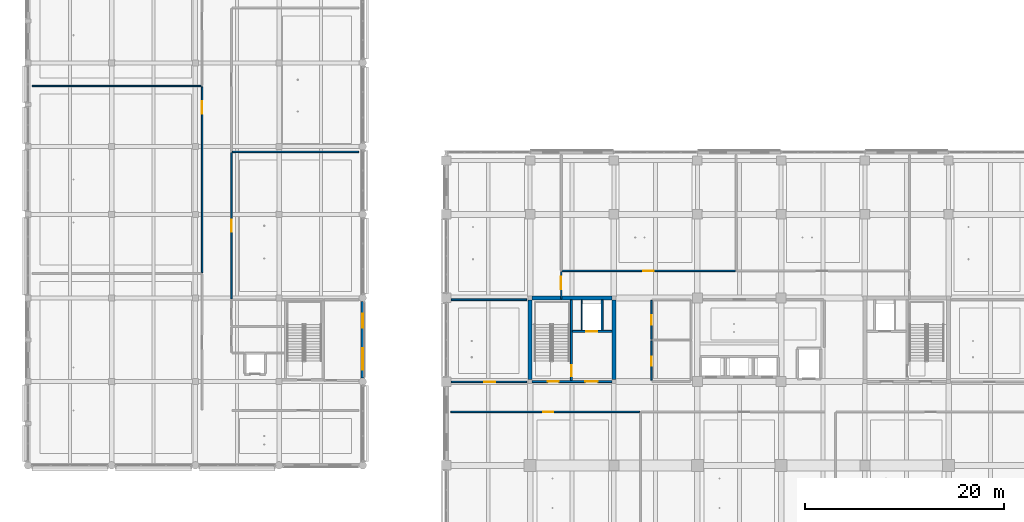
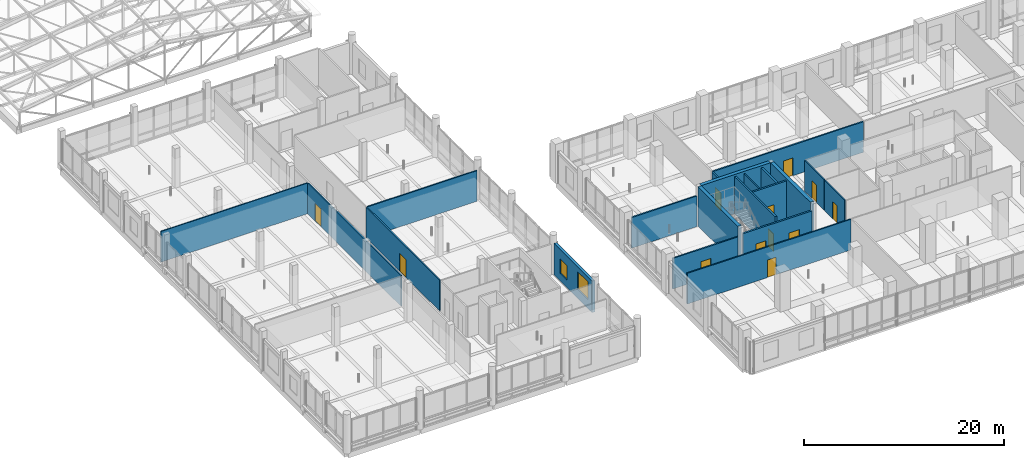
# One storey, part 54 of 122: 20 walls, 12 doors, 2 windows, 14 openings.
"""IFC4 building model written with IfcOpenShell, lengths in metres."""

from ifc_helpers import new_model, si_unit, direction, frame, frame_2d, origin, place, context, subcontext, project, spatial, rectangle, extrude, material, layer, layer_set, type_object, element, fill, save


model = new_model("IFC4")

# Units and contexts
model_context = context("Model", 3, precision=1e-05, world=origin(), true_north=direction((0.0, 1.0)))
body_context = subcontext(model_context, "Body", "Model", "MODEL_VIEW")
ifc_project = project(units=[si_unit("LENGTHUNIT", "METRE"), si_unit("AREAUNIT", "SQUARE_METRE"), si_unit("VOLUMEUNIT", "CUBIC_METRE"), si_unit("PLANEANGLEUNIT", "RADIAN"), si_unit("MASSUNIT", "GRAM", prefix="KILO")], contexts=[model_context])

# Site, building, storey
site_placement = place(None, origin())
site = spatial("IfcSite", under=ifc_project, at=site_placement, CompositionType="ELEMENT")
building_placement = place(site_placement, origin())
building = spatial("IfcBuilding", under=site, at=building_placement, Name="Telukmera Botanical Conservatory", CompositionType="ELEMENT")
storey_placement = place(building_placement, frame((0.0, 0.0, 10.199951171875)))
storey = spatial("IfcBuildingStorey", under=building, at=storey_placement, Name="L02", CompositionType="ELEMENT", Elevation=10.199951171875)

# Wall, openings, windows
ifc_material_1 = material(Name="Terracotta-faced precast concrete C40/50", Category="masonry")
ifc_layer_1 = layer(ifc_material_1, 0.300048828125)
ifc_layer_set_1 = layer_set([ifc_layer_1], Name="Terracotta-faced precast concrete C40/50")
wall_type_1 = type_object("IfcWallType", Name="Exterior Polychrome Terracotta Precast Wall 300", PredefinedType="SOLIDWALL", material=ifc_layer_set_1)
wall_1_placement = place(storey_placement, frame((42.0, 26.376953125, 0.0), z_axis=(0.0, 0.0, 1.0), x_axis=(0.0, 1.0, 0.0)))
wall_1 = element("IfcWall", 1, at=wall_1_placement, inside=storey, type_object=wall_type_1, Name="Exterior Precast Wall EW02 V3:L02:E2", PredefinedType="SOLIDWALL", context=body_context, shape_type="SweptSolid", body=[
    extrude(rectangle(XDim=7.64599609375, YDim=0.300048828125, at=frame_2d((3.822998046875, 0.0))), origin(), (0.0, 0.0, 1.0), 3.85009765625),
])
opening_1_placement = place(wall_1_placement, frame((0.83642578125, 0.0, 1.10009765625)))
opening_1 = element("IfcOpeningElement", 2, at=opening_1_placement, cuts=wall_1, Name="Opening W15", PredefinedType="OPENING", context=body_context, shape_type="SweptSolid", body=[
    extrude(rectangle(XDim=2.14990234375, YDim=2.14990234375, at=frame_2d((1.074951171875, 1.074951171875))), frame((0.0, 0.159912109375, 0.0), z_axis=(0.0, -1.0, 0.0), x_axis=(1.0, 0.0, 0.0)), (0.0, 0.0, 1.0), 0.320068359375),
])
opening_2_placement = place(wall_1_placement, frame((5.009521484375, 0.0, 0.89990234375)))
opening_2 = element("IfcOpeningElement", 3, at=opening_2_placement, cuts=wall_1, Name="Opening W09", PredefinedType="OPENING", context=body_context, shape_type="SweptSolid", body=[
    extrude(rectangle(XDim=1.449951171875, YDim=1.800048828125, at=frame_2d((0.72509765625, 0.89990234375))), frame((0.0, 0.159912109375, 0.0), z_axis=(0.0, -1.0, 0.0), x_axis=(1.0, 0.0, 0.0)), (0.0, 0.0, 1.0), 0.320068359375),
])
ifc_material_2 = material(Name="Thermally broken anodised aluminium frame with low-E double glazing", Category="aluminium")
window_type_1 = type_object("IfcWindowType", Name="Double Horizontal Transom Studio Window 1450x1800", PartitioningType="DOUBLE_PANEL_HORIZONTAL", PredefinedType="WINDOW", material=ifc_material_2)
window_1_placement = place(opening_2_placement, origin())
window_1 = element("IfcWindow", 4, at=window_1_placement, inside=storey, type_object=window_type_1, Name="Facade Window W09 V3:L02:E2 2", OverallHeight=1.800048828125, OverallWidth=1.449951171875, PartitioningType="DOUBLE_PANEL_HORIZONTAL", PredefinedType="WINDOW", context=body_context, shape_type="SweptSolid", body=[
    extrude(rectangle(XDim=1.449951171875, YDim=1.800048828125, at=frame_2d((0.72509765625, 0.89990234375))), frame((0.0, 0.030029296875, 0.0), z_axis=(0.0, -1.0, 0.0), x_axis=(1.0, 0.0, 0.0)), (0.0, 0.0, 1.0), 0.06005859375),
])
fill(opening_2, window_1)
window_type_2 = type_object("IfcWindowType", Name="Triple Vertical Botanical Gallery Window 2150x2150", PartitioningType="TRIPLE_PANEL_VERTICAL", PredefinedType="WINDOW", material=ifc_material_2)
window_2_placement = place(opening_1_placement, origin())
window_2 = element("IfcWindow", 5, at=window_2_placement, inside=storey, type_object=window_type_2, Name="Facade Window W15 V3:L02:E2 1", OverallHeight=2.14990234375, OverallWidth=2.14990234375, PartitioningType="TRIPLE_PANEL_VERTICAL", PredefinedType="WINDOW", context=body_context, shape_type="SweptSolid", body=[
    extrude(rectangle(XDim=2.14990234375, YDim=2.14990234375, at=frame_2d((1.074951171875, 1.074951171875))), frame((0.0, 0.030029296875, 0.0), z_axis=(0.0, -1.0, 0.0), x_axis=(1.0, 0.0, 0.0)), (0.0, 0.0, 1.0), 0.06005859375),
])
fill(opening_1, window_2)

# Wall, openings, doors
ifc_material_3 = material(Name="Concrete C40/50", Category="concrete")
ifc_layer_2 = layer(ifc_material_3, 0.199951171875)
ifc_layer_set_2 = layer_set([ifc_layer_2], Name="Concrete C40/50")
wall_type_2 = type_object("IfcWallType", Name="WT-CORE-200", PredefinedType="SOLIDWALL", material=ifc_layer_set_2)
wall_2_placement = place(storey_placement, frame((59.0, 26.0, 0.0), z_axis=(0.0, 0.0, 1.0), x_axis=(1.0, 0.0, 0.0)))
wall_2 = element("IfcWall", 6, at=wall_2_placement, inside=storey, type_object=wall_type_2, Name="L02 Core C1 South Fire Wall", PredefinedType="SOLIDWALL", context=body_context, shape_type="SweptSolid", body=[
    extrude(rectangle(XDim=8.0, YDim=0.199951171875, at=frame_2d((4.0, 0.0))), origin(), (0.0, 0.0, 1.0), 3.929931640625),
])
opening_3_placement = place(wall_2_placement, frame((1.550048828125, 0.0, 0.0)))
opening_3 = element("IfcOpeningElement", 7, at=opening_3_placement, cuts=wall_2, Name="Opening FD60A", PredefinedType="OPENING", context=body_context, shape_type="SweptSolid", body=[
    extrude(rectangle(XDim=1.14990234375, YDim=2.14990234375, at=frame_2d((0.574951171875, 1.074951171875))), frame((0.0, 0.10986328125, 0.0), z_axis=(0.0, -1.0, 0.0), x_axis=(1.0, 0.0, 0.0)), (0.0, 0.0, 1.0), 0.219970703125),
])
opening_4_placement = place(wall_2_placement, frame((5.35009765625, 0.0, 0.0)))
opening_4 = element("IfcOpeningElement", 8, at=opening_4_placement, cuts=wall_2, Name="Opening FD60C", PredefinedType="OPENING", context=body_context, shape_type="SweptSolid", body=[
    extrude(rectangle(XDim=1.219970703125, YDim=2.14990234375, at=frame_2d((0.60986328125, 1.074951171875))), frame((0.0, 0.10986328125, 0.0), z_axis=(0.0, -1.0, 0.0), x_axis=(1.0, 0.0, 0.0)), (0.0, 0.0, 1.0), 0.219970703125),
])
ifc_material_4 = material(Name="Hardwood fire door", Category="wood")
door_type_1 = type_object("IfcDoorType", Name="DT-FD60-01", OperationType="NOTDEFINED", PredefinedType="DOOR", material=ifc_material_4)
door_1_placement = place(opening_3_placement, origin())
door_1 = element("IfcDoor", 9, at=door_1_placement, inside=storey, type_object=door_type_1, Name="L02 Stair ST1 Escape Door", OperationType="SINGLE_SWING_RIGHT", OverallHeight=2.14990234375, OverallWidth=1.14990234375, PredefinedType="DOOR", context=body_context, shape_type="SweptSolid", body=[
    extrude(rectangle(XDim=1.14990234375, YDim=2.14990234375, at=frame_2d((0.574951171875, 1.074951171875))), frame((0.0, 0.02490234375, 0.0), z_axis=(0.0, -1.0, 0.0), x_axis=(1.0, 0.0, 0.0)), (0.0, 0.0, 1.0), 0.050048828125),
])
fill(opening_3, door_1)
door_type_2 = type_object("IfcDoorType", Name="DT-FD60-03", OperationType="NOTDEFINED", PredefinedType="DOOR", material=ifc_material_4)
door_2_placement = place(opening_4_placement, origin())
door_2 = element("IfcDoor", 10, at=door_2_placement, inside=storey, type_object=door_type_2, Name="L02 Firefighting Lobby C1 Door", OperationType="SINGLE_SWING_LEFT", OverallHeight=2.14990234375, OverallWidth=1.219970703125, PredefinedType="DOOR", context=body_context, shape_type="SweptSolid", body=[
    extrude(rectangle(XDim=1.219970703125, YDim=2.14990234375, at=frame_2d((0.60986328125, 1.074951171875))), frame((0.0, 0.02490234375, 0.0), z_axis=(0.0, -1.0, 0.0), x_axis=(1.0, 0.0, 0.0)), (0.0, 0.0, 1.0), 0.050048828125),
])
fill(opening_4, door_2)

# Wall, opening, door
wall_3_placement = place(storey_placement, frame((62.949951171875, 26.10009765625, 0.0), z_axis=(0.0, 0.0, 1.0), x_axis=(0.0, 1.0, 0.0)))
wall_3 = element("IfcWall", 11, at=wall_3_placement, inside=storey, type_object=wall_type_2, Name="L02 Core C1 Stair-Lobby Wall", PredefinedType="SOLIDWALL", context=body_context, shape_type="SweptSolid", body=[
    extrude(rectangle(XDim=8.099853515625, YDim=0.199951171875, at=frame_2d((4.0498046875, 0.0))), origin(), (0.0, 0.0, 1.0), 4.550048828125),
])
opening_5_placement = place(wall_3_placement, frame((0.449951171875, 0.0, 0.0)))
opening_5 = element("IfcOpeningElement", 12, at=opening_5_placement, cuts=wall_3, Name="Opening FD60B", PredefinedType="OPENING", context=body_context, shape_type="SweptSolid", body=[
    extrude(rectangle(XDim=1.1201171875, YDim=2.14990234375, at=frame_2d((0.56005859375, 1.074951171875))), frame((0.0, 0.10986328125, 0.0), z_axis=(0.0, -1.0, 0.0), x_axis=(1.0, 0.0, 0.0)), (0.0, 0.0, 1.0), 0.219970703125),
])
door_type_3 = type_object("IfcDoorType", Name="DT-FD60-02", OperationType="NOTDEFINED", PredefinedType="DOOR", material=ifc_material_4)
door_3_placement = place(opening_5_placement, origin())
door_3 = element("IfcDoor", 13, at=door_3_placement, inside=storey, type_object=door_type_3, Name="L02 Firefighting Lobby C1 to ST1 Door", OperationType="SINGLE_SWING_RIGHT", OverallHeight=2.14990234375, OverallWidth=1.1201171875, PredefinedType="DOOR", context=body_context, shape_type="SweptSolid", body=[
    extrude(rectangle(XDim=1.1201171875, YDim=2.14990234375, at=frame_2d((0.56005859375, 1.074951171875))), frame((0.0, 0.02490234375, 0.0), z_axis=(0.0, -1.0, 0.0), x_axis=(1.0, 0.0, 0.0)), (0.0, 0.0, 1.0), 0.050048828125),
])
fill(opening_5, door_3)

wall_4_placement = place(storey_placement, frame((63.050048828125, 31.050048828125, 0.0), z_axis=(0.0, 0.0, 1.0), x_axis=(1.0, 0.0, 0.0)))
wall_4 = element("IfcWall", 14, at=wall_4_placement, inside=storey, type_object=wall_type_2, Name="L02 Fire Lift FL1 Shaft Front Wall", PredefinedType="SOLIDWALL", context=body_context, shape_type="SweptSolid", body=[
    extrude(rectangle(XDim=3.949951171875, YDim=0.199951171875, at=frame_2d((1.97509765625, 0.0))), origin(), (0.0, 0.0, 1.0), 4.550048828125),
])
opening_6_placement = place(wall_4_placement, frame((1.39990234375, 0.0, 0.0)))
opening_6 = element("IfcOpeningElement", 15, at=opening_6_placement, cuts=wall_4, Name="Opening LD01", PredefinedType="OPENING", context=body_context, shape_type="SweptSolid", body=[
    extrude(rectangle(XDim=1.10009765625, YDim=2.14990234375, at=frame_2d((0.550048828125, 1.074951171875))), frame((0.0, 0.10986328125, 0.0), z_axis=(0.0, -1.0, 0.0), x_axis=(1.0, 0.0, 0.0)), (0.0, 0.0, 1.0), 0.219970703125),
])
ifc_material_5 = material(Name="Stainless steel 316", Category="steel")
door_type_4 = type_object("IfcDoorType", Name="DT-LD01", OperationType="SLIDING_TO_LEFT", PredefinedType="DOOR", material=ifc_material_5)
door_4_placement = place(opening_6_placement, frame((1.10009765625, 0.0, 0.0), z_axis=(0.0, 0.0, 1.0), x_axis=(-1.0, 0.0, 0.0)))
door_4 = element("IfcDoor", 16, at=door_4_placement, inside=storey, type_object=door_type_4, Name="L02 Lift Landing Door FL1", OperationType="SLIDING_TO_LEFT", OverallHeight=2.14990234375, OverallWidth=1.10009765625, PredefinedType="DOOR", context=body_context, shape_type="SweptSolid", body=[
    extrude(rectangle(XDim=1.10009765625, YDim=2.14990234375, at=frame_2d((0.550048828125, 1.074951171875))), frame((0.0, 0.02490234375, 0.0), z_axis=(0.0, -1.0, 0.0), x_axis=(1.0, 0.0, 0.0)), (0.0, 0.0, 1.0), 0.050048828125),
])
fill(opening_6, door_4)

# Walls
wall_5_placement = place(storey_placement, frame((66.02001953125, 31.14990234375, 0.0), z_axis=(0.0, 0.0, 1.0), x_axis=(0.0, 1.0, 0.0)))
element("IfcWall", 17, at=wall_5_placement, inside=storey, type_object=wall_type_2, Name="L02 Fire Lift FL1 Shaft East Wall", PredefinedType="SOLIDWALL", context=body_context, shape_type="SweptSolid", body=[
    extrude(rectangle(XDim=3.050048828125, YDim=0.199951171875, at=frame_2d((1.52490234375, 0.0))), origin(), (0.0, 0.0, 1.0), 4.550048828125),
])
ifc_material_6 = material(Name="Aluminium framed acoustic glass", Category="aluminium")
ifc_layer_3 = layer(ifc_material_6, 0.1201171875)
ifc_layer_set_3 = layer_set([ifc_layer_3], Name="Aluminium framed acoustic glass")
wall_type_3 = type_object("IfcWallType", Name="WT-GLAZ-120", PredefinedType="PARTITIONING", material=ifc_layer_set_3)
wall_6_placement = place(storey_placement, frame((8.85009765625, 55.675048828125, 0.0), z_axis=(0.0, 0.0, 1.0), x_axis=(1.0, 0.0, 0.0)))
element("IfcWall", 18, at=wall_6_placement, inside=storey, type_object=wall_type_3, Name="L02 Interior Partition 18", PredefinedType="PARTITIONING", context=body_context, shape_type="SweptSolid", body=[
    extrude(rectangle(XDim=16.949951171875, YDim=0.1201171875, at=frame_2d((8.47509765625, 0.0))), origin(), (0.0, 0.0, 1.0), 3.75),
])

# Wall, opening, door
ifc_material_7 = material(Name="Gypsum acoustic stud partition")
ifc_layer_4 = layer(ifc_material_7, 0.159912109375)
ifc_layer_set_4 = layer_set([ifc_layer_4], Name="Gypsum acoustic stud partition")
wall_type_4 = type_object("IfcWallType", Name="WT-LAB-160", PredefinedType="PARTITIONING", material=ifc_layer_set_4)
wall_7_placement = place(storey_placement, frame((50.905029296875, 25.97509765625, 0.0), z_axis=(0.0, 0.0, 1.0), x_axis=(1.0, 0.0, 0.0)))
wall_7 = element("IfcWall", 19, at=wall_7_placement, inside=storey, type_object=wall_type_4, Name="L02 Interior Partition 29", PredefinedType="PARTITIONING", context=body_context, shape_type="SweptSolid", body=[
    extrude(rectangle(XDim=7.544921875, YDim=0.159912109375, at=frame_2d((3.7724609375, 0.0))), origin(), (0.0, 0.0, 1.0), 3.75),
])
opening_7_placement = place(wall_7_placement, frame((3.2783203125, 0.0, 0.0)))
opening_7 = element("IfcOpeningElement", 20, at=opening_7_placement, cuts=wall_7, Name="Opening ID10", PredefinedType="OPENING", context=body_context, shape_type="SweptSolid", body=[
    extrude(rectangle(XDim=1.139892578125, YDim=2.219970703125, at=frame_2d((0.56982421875, 1.10986328125))), frame((0.0, 0.08984375, 0.0), z_axis=(0.0, -1.0, 0.0), x_axis=(1.0, 0.0, 0.0)), (0.0, 0.0, 1.0), 0.179931640625),
])
ifc_material_8 = material(Name="Sealed steel herbarium door", Category="steel")
door_type_5 = type_object("IfcDoorType", Name="DT-HERB-114", OperationType="NOTDEFINED", PredefinedType="DOOR", material=ifc_material_8)
door_5_placement = place(opening_7_placement, origin())
door_5 = element("IfcDoor", 21, at=door_5_placement, inside=storey, type_object=door_type_5, Name="L02 Herbarium Loan Dispatch Studio Door", OperationType="SINGLE_SWING_RIGHT", OverallHeight=2.219970703125, OverallWidth=1.139892578125, PredefinedType="DOOR", context=body_context, shape_type="SweptSolid", body=[
    extrude(rectangle(XDim=1.139892578125, YDim=2.219970703125, at=frame_2d((0.56982421875, 1.10986328125))), frame((0.0, 0.02490234375, 0.0), z_axis=(0.0, -1.0, 0.0), x_axis=(1.0, 0.0, 0.0)), (0.0, 0.0, 1.0), 0.050048828125),
])
fill(opening_7, door_5)

# Wall
wall_8_placement = place(storey_placement, frame((50.905029296875, 34.22509765625, 0.0), z_axis=(0.0, 0.0, 1.0), x_axis=(1.0, 0.0, 0.0)))
element("IfcWall", 22, at=wall_8_placement, inside=storey, type_object=wall_type_4, Name="L02 Interior Partition 30", PredefinedType="PARTITIONING", context=body_context, shape_type="SweptSolid", body=[
    extrude(rectangle(XDim=7.544921875, YDim=0.159912109375, at=frame_2d((3.7724609375, 0.0))), origin(), (0.0, 0.0, 1.0), 3.75),
])

# Wall, opening, door
wall_9_placement = place(storey_placement, frame((62.010009765625, 37.125, 0.0), z_axis=(0.0, 0.0, 1.0), x_axis=(1.0, 0.0, 0.0)))
wall_9 = element("IfcWall", 23, at=wall_9_placement, inside=storey, type_object=wall_type_4, Name="L02 Interior Partition 41", PredefinedType="PARTITIONING", context=body_context, shape_type="SweptSolid", body=[
    extrude(rectangle(XDim=17.389892578125, YDim=0.159912109375, at=frame_2d((8.69482421875, 0.0))), origin(), (0.0, 0.0, 1.0), 3.75),
])
opening_8_placement = place(wall_9_placement, frame((8.1650390625, 0.0, 0.0)))
opening_8 = element("IfcOpeningElement", 24, at=opening_8_placement, cuts=wall_9, Name="Opening ID12", PredefinedType="OPENING", context=body_context, shape_type="SweptSolid", body=[
    extrude(rectangle(XDim=1.06005859375, YDim=2.179931640625, at=frame_2d((0.530029296875, 1.08984375))), frame((0.0, 0.08984375, 0.0), z_axis=(0.0, -1.0, 0.0), x_axis=(1.0, 0.0, 0.0)), (0.0, 0.0, 1.0), 0.179931640625),
])
ifc_material_9 = material(Name="Light-tight microscopy door")
door_type_6 = type_object("IfcDoorType", Name="DT-MIC-106", OperationType="NOTDEFINED", PredefinedType="DOOR", material=ifc_material_9)
door_6_placement = place(opening_8_placement, origin())
door_6 = element("IfcDoor", 25, at=door_6_placement, inside=storey, type_object=door_type_6, Name="L02 Taxonomic Microscopy Laboratory Door", OperationType="SINGLE_SWING_RIGHT", OverallHeight=2.179931640625, OverallWidth=1.06005859375, PredefinedType="DOOR", context=body_context, shape_type="SweptSolid", body=[
    extrude(rectangle(XDim=1.06005859375, YDim=2.179931640625, at=frame_2d((0.530029296875, 1.08984375))), frame((0.0, 0.02490234375, 0.0), z_axis=(0.0, -1.0, 0.0), x_axis=(1.0, 0.0, 0.0)), (0.0, 0.0, 1.0), 0.050048828125),
])
fill(opening_8, door_6)

# Wall
ifc_material_10 = material(Name="Gypsum shaftwall liner")
ifc_layer_5 = layer(ifc_material_10, 0.110107421875)
ifc_layer_set_5 = layer_set([ifc_layer_5], Name="Gypsum shaftwall liner")
wall_type_5 = type_object("IfcWallType", Name="WT-RISER-110", PredefinedType="PARTITIONING", material=ifc_layer_set_5)
wall_10_placement = place(storey_placement, frame((63.97998046875, 31.14990234375, 0.0), z_axis=(0.0, 0.0, 1.0), x_axis=(0.0, 1.0, 0.0)))
element("IfcWall", 26, at=wall_10_placement, inside=storey, type_object=wall_type_5, Name="L02 Wet Riser C1 Shaft Wall", PredefinedType="PARTITIONING", context=body_context, shape_type="SweptSolid", body=[
    extrude(rectangle(XDim=3.050048828125, YDim=0.110107421875, at=frame_2d((1.52490234375, 0.0))), origin(), (0.0, 0.0, 1.0), 4.550048828125),
])

# Wall, opening, door
ifc_layer_6 = layer(ifc_material_7, 0.14990234375)
ifc_layer_set_6 = layer_set([ifc_layer_6], Name="Gypsum acoustic stud partition")
wall_type_6 = type_object("IfcWallType", Name="WT-STD-150", PredefinedType="PARTITIONING", material=ifc_layer_set_6)
wall_11_placement = place(storey_placement, frame((25.875, 36.949951171875, 0.0), z_axis=(0.0, 0.0, 1.0), x_axis=(0.0, 1.0, 0.0)))
wall_11 = element("IfcWall", 27, at=wall_11_placement, inside=storey, type_object=wall_type_6, Name="L02 Interior Partition 09", PredefinedType="PARTITIONING", context=body_context, shape_type="SweptSolid", body=[
    extrude(rectangle(XDim=18.650146484375, YDim=0.14990234375, at=frame_2d((9.3251953125, 0.0))), origin(), (0.0, 0.0, 1.0), 3.75),
])
opening_9_placement = place(wall_11_placement, frame((15.962890625, 0.0, 0.0)))
opening_9 = element("IfcOpeningElement", 28, at=opening_9_placement, cuts=wall_11, Name="Opening ID08", PredefinedType="OPENING", context=body_context, shape_type="SweptSolid", body=[
    extrude(rectangle(XDim=1.239990234375, YDim=2.199951171875, at=frame_2d((0.6201171875, 1.10009765625))), frame((0.0, 0.0849609375, 0.0), z_axis=(0.0, -1.0, 0.0), x_axis=(1.0, 0.0, 0.0)), (0.0, 0.0, 1.0), 0.169921875),
])
ifc_material_11 = material(Name="Solid core hardwood classroom door", Category="wood")
door_type_7 = type_object("IfcDoorType", Name="DT-CLS-124", OperationType="NOTDEFINED", PredefinedType="DOOR", material=ifc_material_11)
door_7_placement = place(opening_9_placement, origin())
door_7 = element("IfcDoor", 29, at=door_7_placement, inside=storey, type_object=door_type_7, Name="L02 Junior Botanist Teaching Studio Door", OperationType="SINGLE_SWING_RIGHT", OverallHeight=2.199951171875, OverallWidth=1.239990234375, PredefinedType="DOOR", context=body_context, shape_type="SweptSolid", body=[
    extrude(rectangle(XDim=1.239990234375, YDim=2.199951171875, at=frame_2d((0.6201171875, 1.10009765625))), frame((0.0, 0.02490234375, 0.0), z_axis=(0.0, -1.0, 0.0), x_axis=(1.0, 0.0, 0.0)), (0.0, 0.0, 1.0), 0.050048828125),
])
fill(opening_9, door_7)

wall_12_placement = place(storey_placement, frame((28.824951171875, 34.302490234375, 0.0), z_axis=(0.0, 0.0, 1.0), x_axis=(0.0, 1.0, 0.0)))
wall_12 = element("IfcWall", 30, at=wall_12_placement, inside=storey, type_object=wall_type_6, Name="L02 Interior Partition 11", PredefinedType="PARTITIONING", context=body_context, shape_type="SweptSolid", body=[
    extrude(rectangle(XDim=14.697509765625, YDim=0.14990234375, at=frame_2d((7.3486328125, 0.0))), origin(), (0.0, 0.0, 1.0), 3.75),
])
opening_10_placement = place(wall_12_placement, frame((6.728759765625, 0.0, 0.0)))
opening_10 = element("IfcOpeningElement", 31, at=opening_10_placement, cuts=wall_12, Name="Opening ID08", PredefinedType="OPENING", context=body_context, shape_type="SweptSolid", body=[
    extrude(rectangle(XDim=1.239990234375, YDim=2.199951171875, at=frame_2d((0.6201171875, 1.10009765625))), frame((0.0, 0.0849609375, 0.0), z_axis=(0.0, -1.0, 0.0), x_axis=(1.0, 0.0, 0.0)), (0.0, 0.0, 1.0), 0.169921875),
])
door_8_placement = place(opening_10_placement, frame((1.239990234375, 0.0, 0.0), z_axis=(0.0, 0.0, 1.0), x_axis=(-1.0, 0.0, 0.0)))
door_8 = element("IfcDoor", 32, at=door_8_placement, inside=storey, type_object=door_type_7, Name="L02 Taxonomy Teaching Classroom Door", OperationType="SINGLE_SWING_LEFT", OverallHeight=2.199951171875, OverallWidth=1.239990234375, PredefinedType="DOOR", context=body_context, shape_type="SweptSolid", body=[
    extrude(rectangle(XDim=1.239990234375, YDim=2.199951171875, at=frame_2d((0.6201171875, 1.10009765625))), frame((0.0, 0.02490234375, 0.0), z_axis=(0.0, -1.0, 0.0), x_axis=(1.0, 0.0, 0.0)), (0.0, 0.0, 1.0), 0.050048828125),
])
fill(opening_10, door_8)

# Wall
wall_13_placement = place(storey_placement, frame((28.909912109375, 49.074951171875, 0.0), z_axis=(0.0, 0.0, 1.0), x_axis=(1.0, 0.0, 0.0)))
element("IfcWall", 33, at=wall_13_placement, inside=storey, type_object=wall_type_6, Name="L02 Interior Partition 20", PredefinedType="PARTITIONING", context=body_context, shape_type="SweptSolid", body=[
    extrude(rectangle(XDim=12.690185546875, YDim=0.14990234375, at=frame_2d((6.34521484375, 0.0))), origin(), (0.0, 0.0, 1.0), 3.75),
])

# Wall, opening, door
wall_14_placement = place(storey_placement, frame((50.85009765625, 22.97509765625, 0.0), z_axis=(0.0, 0.0, 1.0), x_axis=(1.0, 0.0, 0.0)))
wall_14 = element("IfcWall", 34, at=wall_14_placement, inside=storey, type_object=wall_type_6, Name="L02 Interior Partition 35", PredefinedType="PARTITIONING", context=body_context, shape_type="SweptSolid", body=[
    extrude(rectangle(XDim=18.949951171875, YDim=0.14990234375, at=frame_2d((9.47509765625, 0.0))), origin(), (0.0, 0.0, 1.0), 3.75),
])
opening_11_placement = place(wall_14_placement, frame((9.27587890625, 0.0, 0.0)))
opening_11 = element("IfcOpeningElement", 35, at=opening_11_placement, cuts=wall_14, Name="Opening ID14", PredefinedType="OPENING", context=body_context, shape_type="SweptSolid", body=[
    extrude(rectangle(XDim=1.0, YDim=2.14990234375, at=frame_2d((0.5, 1.074951171875))), frame((0.0, 0.0849609375, 0.0), z_axis=(0.0, -1.0, 0.0), x_axis=(1.0, 0.0, 0.0)), (0.0, 0.0, 1.0), 0.169921875),
])
ifc_material_12 = material(Name="Acoustic timber office door", Category="wood")
door_type_8 = type_object("IfcDoorType", Name="DT-WRT-100", OperationType="NOTDEFINED", PredefinedType="DOOR", material=ifc_material_12)
door_9_placement = place(opening_11_placement, frame((1.0, 0.0, 0.0), z_axis=(0.0, 0.0, 1.0), x_axis=(-1.0, 0.0, 0.0)))
door_9 = element("IfcDoor", 36, at=door_9_placement, inside=storey, type_object=door_type_8, Name="L02 Herbarium Curation Studio Door", OperationType="SINGLE_SWING_RIGHT", OverallHeight=2.14990234375, OverallWidth=1.0, PredefinedType="DOOR", context=body_context, shape_type="SweptSolid", body=[
    extrude(rectangle(XDim=1.0, YDim=2.14990234375, at=frame_2d((0.5, 1.074951171875))), frame((0.0, 0.02490234375, 0.0), z_axis=(0.0, -1.0, 0.0), x_axis=(1.0, 0.0, 0.0)), (0.0, 0.0, 1.0), 0.050048828125),
])
fill(opening_11, door_9)

wall_15_placement = place(storey_placement, frame((61.925048828125, 34.300048828125, 0.0), z_axis=(0.0, 0.0, 1.0), x_axis=(0.0, 1.0, 0.0)))
wall_15 = element("IfcWall", 37, at=wall_15_placement, inside=storey, type_object=wall_type_6, Name="L02 Interior Partition 40", PredefinedType="PARTITIONING", context=body_context, shape_type="SweptSolid", body=[
    extrude(rectangle(XDim=2.75, YDim=0.14990234375, at=frame_2d((1.375, 0.0))), origin(), (0.0, 0.0, 1.0), 3.75),
])
opening_12_placement = place(wall_15_placement, frame((0.971435546875, 0.0, 0.0)))
opening_12 = element("IfcOpeningElement", 38, at=opening_12_placement, cuts=wall_15, Name="Opening ID08", PredefinedType="OPENING", context=body_context, shape_type="SweptSolid", body=[
    extrude(rectangle(XDim=1.239990234375, YDim=2.199951171875, at=frame_2d((0.6201171875, 1.10009765625))), frame((0.0, 0.0849609375, 0.0), z_axis=(0.0, -1.0, 0.0), x_axis=(1.0, 0.0, 0.0)), (0.0, 0.0, 1.0), 0.169921875),
])
door_10_placement = place(opening_12_placement, origin())
door_10 = element("IfcDoor", 39, at=door_10_placement, inside=storey, type_object=door_type_7, Name="L02 Botanical Systematics Classroom Door", OperationType="SINGLE_SWING_LEFT", OverallHeight=2.199951171875, OverallWidth=1.239990234375, PredefinedType="DOOR", context=body_context, shape_type="SweptSolid", body=[
    extrude(rectangle(XDim=1.239990234375, YDim=2.199951171875, at=frame_2d((0.6201171875, 1.10009765625))), frame((0.0, 0.02490234375, 0.0), z_axis=(0.0, -1.0, 0.0), x_axis=(1.0, 0.0, 0.0)), (0.0, 0.0, 1.0), 0.050048828125),
])
fill(opening_12, door_10)

ifc_material_13 = material(Name="Moisture-resistant blockwork", Category="masonry")
ifc_layer_7 = layer(ifc_material_13, 0.135009765625)
ifc_layer_set_7 = layer_set([ifc_layer_7], Name="Moisture-resistant blockwork")
wall_type_7 = type_object("IfcWallType", Name="WT-WC-135", PredefinedType="PARTITIONING", material=ifc_layer_set_7)
wall_16_placement = place(storey_placement, frame((70.97509765625, 26.14990234375, 0.0), z_axis=(0.0, 0.0, 1.0), x_axis=(0.0, 1.0, 0.0)))
wall_16 = element("IfcWall", 40, at=wall_16_placement, inside=storey, type_object=wall_type_7, Name="L02 Interior Partition 21", PredefinedType="PARTITIONING", context=body_context, shape_type="SweptSolid", body=[
    extrude(rectangle(XDim=3.9501953125, YDim=0.135009765625, at=frame_2d((1.97509765625, 0.0))), origin(), (0.0, 0.0, 1.0), 3.75),
])
opening_13_placement = place(wall_16_placement, frame((1.440673828125, 0.0, 0.0)))
opening_13 = element("IfcOpeningElement", 41, at=opening_13_placement, cuts=wall_16, Name="Opening ID17", PredefinedType="OPENING", context=body_context, shape_type="SweptSolid", body=[
    extrude(rectangle(XDim=0.919921875, YDim=2.1201171875, at=frame_2d((0.4599609375, 1.06005859375))), frame((0.0, 0.077392578125, 0.0), z_axis=(0.0, -1.0, 0.0), x_axis=(1.0, 0.0, 0.0)), (0.0, 0.0, 1.0), 0.155029296875),
])
ifc_material_14 = material(Name="Moisture-resistant laminate WC door")
door_type_9 = type_object("IfcDoorType", Name="DT-WC-092", OperationType="NOTDEFINED", PredefinedType="DOOR", material=ifc_material_14)
door_11_placement = place(opening_13_placement, origin())
door_11 = element("IfcDoor", 42, at=door_11_placement, inside=storey, type_object=door_type_9, Name="L02 Public WC Door", OperationType="SINGLE_SWING_LEFT", OverallHeight=2.1201171875, OverallWidth=0.919921875, PredefinedType="DOOR", context=body_context, shape_type="SweptSolid", body=[
    extrude(rectangle(XDim=0.919921875, YDim=2.1201171875, at=frame_2d((0.4599609375, 1.06005859375))), frame((0.0, 0.02490234375, 0.0), z_axis=(0.0, -1.0, 0.0), x_axis=(1.0, 0.0, 0.0)), (0.0, 0.0, 1.0), 0.050048828125),
])
fill(opening_13, door_11)

wall_17_placement = place(storey_placement, frame((70.97509765625, 30.25, 0.0), z_axis=(0.0, 0.0, 1.0), x_axis=(0.0, 1.0, 0.0)))
wall_17 = element("IfcWall", 43, at=wall_17_placement, inside=storey, type_object=wall_type_7, Name="L02 Interior Partition 22", PredefinedType="PARTITIONING", context=body_context, shape_type="SweptSolid", body=[
    extrude(rectangle(XDim=3.89990234375, YDim=0.135009765625, at=frame_2d((1.949951171875, 0.0))), origin(), (0.0, 0.0, 1.0), 3.75),
])
opening_14_placement = place(wall_17_placement, frame((1.4599609375, 0.0, 0.0)))
opening_14 = element("IfcOpeningElement", 44, at=opening_14_placement, cuts=wall_17, Name="Opening ID15", PredefinedType="OPENING", context=body_context, shape_type="SweptSolid", body=[
    extrude(rectangle(XDim=0.97998046875, YDim=2.14990234375, at=frame_2d((0.489990234375, 1.074951171875))), frame((0.0, 0.077392578125, 0.0), z_axis=(0.0, -1.0, 0.0), x_axis=(1.0, 0.0, 0.0)), (0.0, 0.0, 1.0), 0.155029296875),
])
ifc_material_15 = material(Name="Accessible sanitary laminate door")
door_type_10 = type_object("IfcDoorType", Name="DT-OKU-098", OperationType="NOTDEFINED", PredefinedType="DOOR", material=ifc_material_15)
door_12_placement = place(opening_14_placement, origin())
door_12 = element("IfcDoor", 45, at=door_12_placement, inside=storey, type_object=door_type_10, Name="L02 Accessible WC Door", OperationType="SINGLE_SWING_RIGHT", OverallHeight=2.14990234375, OverallWidth=0.97998046875, PredefinedType="DOOR", context=body_context, shape_type="SweptSolid", body=[
    extrude(rectangle(XDim=0.97998046875, YDim=2.14990234375, at=frame_2d((0.489990234375, 1.074951171875))), frame((0.0, 0.02490234375, 0.0), z_axis=(0.0, -1.0, 0.0), x_axis=(1.0, 0.0, 0.0)), (0.0, 0.0, 1.0), 0.050048828125),
])
fill(opening_14, door_12)

# Walls
ifc_material_16 = material(Name="Concrete C50/60", Category="concrete")
ifc_layer_8 = layer(ifc_material_16, 0.39990234375)
ifc_layer_set_8 = layer_set([ifc_layer_8], Name="Concrete C50/60")
wall_type_8 = type_object("IfcWallType", Name="Wall_CW1", PredefinedType="SHEAR", material=ifc_layer_set_8)
for number, where, z_axis, x_axis, name in (
    (46, (58.800048828125, 26.199951171875, 0.0), (0.0, 0.0, 1.0), (0.0, 1.0, 0.0), "Core C1 Shear Wall West L02"),
    (47, (67.199951171875, 26.199951171875, 0.0), (0.0, 0.0, 1.0), (0.0, 1.0, 0.0), "Core C1 Shear Wall East L02"),
    (48, (59.0, 34.39990234375, 0.0), (0.0, 0.0, 1.0), (1.0, 0.0, 0.0), "Core C1 Shear Wall North L02"),
):
    element("IfcWall", number, at=place(storey_placement, frame(where, z_axis=z_axis, x_axis=x_axis)), inside=storey, type_object=wall_type_8, Name=name, PredefinedType="SHEAR", context=body_context, shape_type="SweptSolid", body=[
        extrude(rectangle(XDim=8.0, YDim=0.39990234375, at=frame_2d((4.0, 0.0))), origin(), (0.0, 0.0, 1.0), 4.800048828125),
    ])

save(model, "model.ifc")
